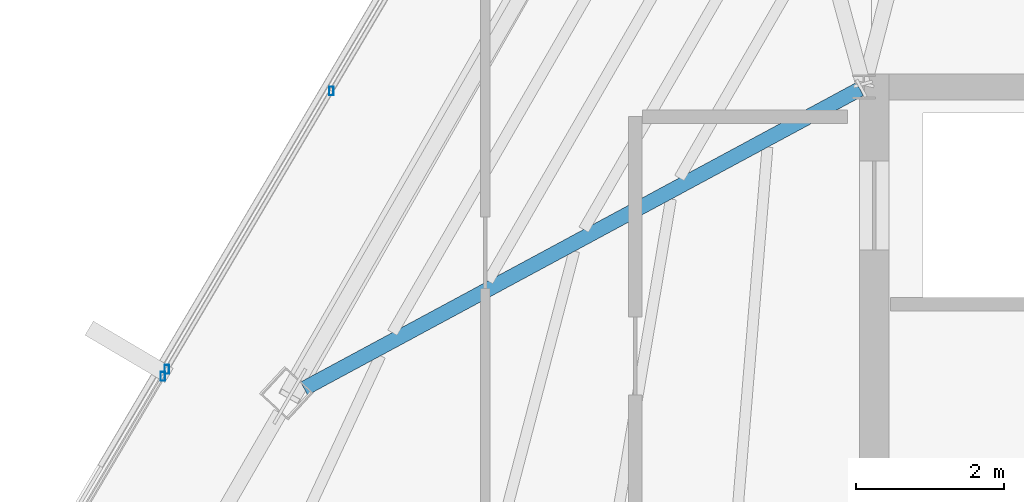
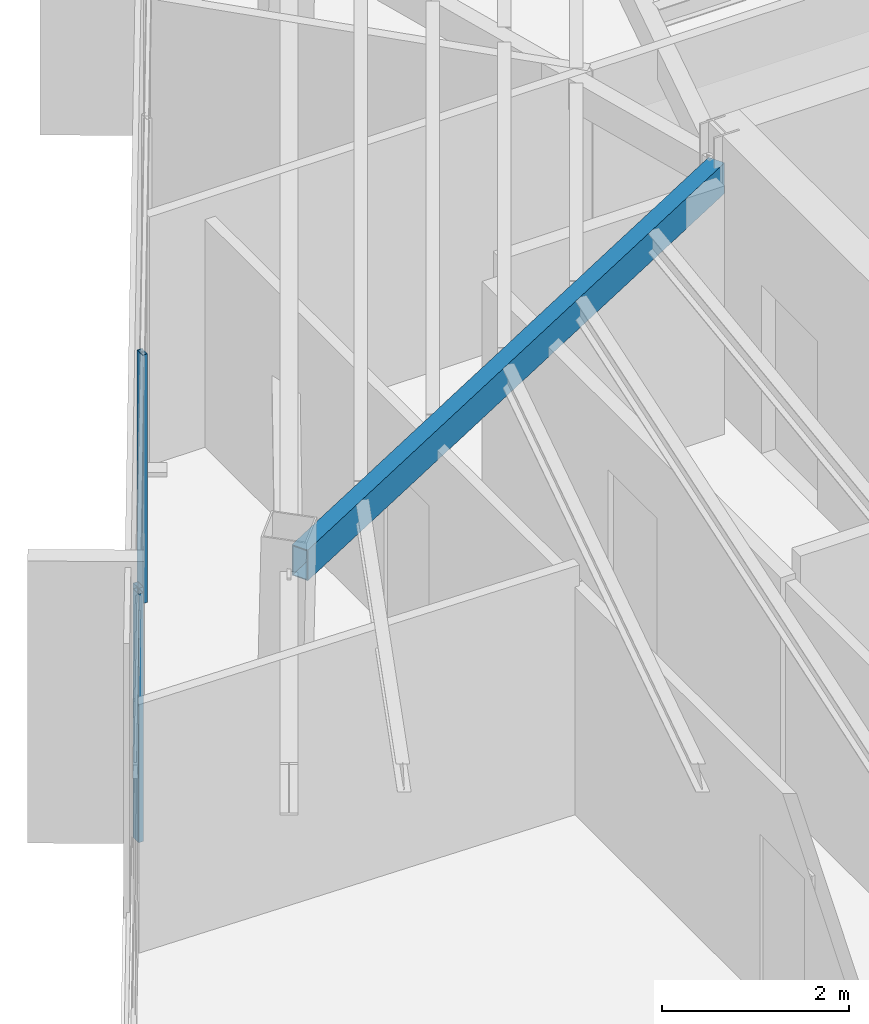
# One storey, part 17 of 44: 3 members, 1 beam, 2 elements without a shape of their own.
"""IFC4 building model written with IfcOpenShell, lengths in metres."""

from ifc_helpers import new_model, si_unit, direction, frame, origin, origin_2d, place, context, subcontext, project, spatial, hollow_rectangle, extrude, source, transform, mapped, material, material_profile, profile_set, type_object, type_shapes, element, aggregate, save


model = new_model("IFC4")

# Units and contexts
model_context = context("Model", 3, precision=1e-05, world=origin(), true_north=direction((0.0, 1.0)))
body_context = subcontext(model_context, "Body", "Model", "MODEL_VIEW")
ifc_project = project(units=[si_unit("LENGTHUNIT", "METRE"), si_unit("AREAUNIT", "SQUARE_METRE"), si_unit("VOLUMEUNIT", "CUBIC_METRE"), si_unit("PLANEANGLEUNIT", "RADIAN"), si_unit("MASSUNIT", "GRAM", prefix="KILO")], contexts=[model_context])

# Site, building, storey
site_placement = place(None, origin())
site = spatial("IfcSite", under=ifc_project, at=site_placement, CompositionType="ELEMENT")
building_placement = place(site_placement, origin())
building = spatial("IfcBuilding", under=site, at=building_placement, Name="Caelisora Broadcast Tower", CompositionType="ELEMENT")
storey_placement = place(building_placement, frame((0.0, 0.0, 280.949951171875)))
storey = spatial("IfcBuildingStorey", under=building, at=storey_placement, Name="L74", CompositionType="ELEMENT", Elevation=280.949951171875)

# Beam
ifc_material_1 = material(Name="Steel Grade 350 (AS/NZS 1163 C350L0)", Category="steel")
ifc_material_profile_1 = material_profile(ifc_material_1, hollow_rectangle(XDim=0.199951171875, YDim=0.39990234375, WallThickness=0.012451171875, at=origin_2d()), Name="Steel Grade 350 (AS/NZS 1163 C350L0)")
ifc_profile_set_1 = profile_set([ifc_material_profile_1], Name="Steel Grade 350 (AS/NZS 1163 C350L0)")
beam_type = type_object("IfcBeamType", Name="PG07", PredefinedType="BEAM", material=ifc_profile_set_1)
shared_shape_1 = source(origin(), body_context, "Body", "SweptSolid", [
    extrude(hollow_rectangle(XDim=0.199951171875, YDim=0.39990234375, WallThickness=0.012451171875, at=origin_2d()), origin(), (0.0, 0.0, 1.0), 8.50634765625),
])
type_shapes(beam_type, [shared_shape_1])
beam_placement = place(storey_placement, frame((30.447265625, 29.971435546875, 3.050048828125), z_axis=(-0.880311615753, -0.474395888653, 0.0), x_axis=(0.474395888653, -0.880311615753, 0.0)))
element("IfcBeam", 1, at=beam_placement, inside=storey, type_object=beam_type, Name="L74 beam PG07", PredefinedType="BEAM", context=body_context, shape_type="MappedRepresentation", body=[
    mapped(shared_shape_1, transform((0.0, 0.0, 0.0), scale=1.0)),
])

# Curtain wall, member
ifc_material_2 = material(Name="Unitised Aluminium and Low-E Glass Curtain Wall", Category="glass")
curtain_wall_type_1 = type_object("IfcCurtainWallType", Name="CW-Z5", PredefinedType="NOTDEFINED", material=ifc_material_2)
curtain_wall_1_placement = place(storey_placement, origin())
curtain_wall_1 = element("IfcCurtainWall", 2, at=curtain_wall_1_placement, inside=storey, type_object=curtain_wall_type_1, Name="L74 curtain wall CW-Z5", PredefinedType="NOTDEFINED")
ifc_material_3 = material(Name="Aluminium 6063-T6 Anodised Terracotta Bronze", Category="aluminium")
ifc_material_profile_2 = material_profile(ifc_material_3, hollow_rectangle(XDim=0.06005859375, YDim=0.1201171875, WallThickness=0.0029296875, at=origin_2d()), Name="Aluminium 6063-T6 Anodised Terracotta Bronze")
ifc_profile_set_2 = profile_set([ifc_material_profile_2], Name="Aluminium 6063-T6 Anodised Terracotta Bronze")
member_type = type_object("IfcMemberType", Name="CWM-04", PredefinedType="MULLION", material=ifc_profile_set_2)
shared_shape_2 = source(origin(), body_context, "Body", "SweptSolid", [
    extrude(hollow_rectangle(XDim=0.06005859375, YDim=0.1201171875, WallThickness=0.0029296875, at=origin_2d()), origin(), (0.0, 0.0, 1.0), 3.25),
])
type_shapes(member_type, [shared_shape_2])
member_1_placement = place(storey_placement, frame((21.054443359375, 26.099609375, 0.0), z_axis=(0.0, 0.0, 1.0), x_axis=(1.0, 0.0, 0.0)))
member_1 = element("IfcMember", 3, at=member_1_placement, type_object=member_type, Name="L74-CW-B09 mullion #3", PredefinedType="MULLION", context=body_context, shape_type="MappedRepresentation", body=[
    mapped(shared_shape_2, transform((0.0, 0.0, 0.0), scale=1.0)),
])
aggregate(curtain_wall_1, [member_1])

# Curtain wall, members
ifc_material_4 = material(Name="Unitised Aluminium Insulated Shadow-Box Spandrel Curtain Wall", Category="aluminium")
curtain_wall_type_2 = type_object("IfcCurtainWallType", Name="CW-SP3", PredefinedType="NOTDEFINED", material=ifc_material_4)
curtain_wall_2_placement = place(storey_placement, origin())
curtain_wall_2 = element("IfcCurtainWall", 4, at=curtain_wall_2_placement, inside=storey, type_object=curtain_wall_type_2, Name="L74 curtain wall CW-SP3", PredefinedType="NOTDEFINED")
member_2_placement = place(storey_placement, frame((21.1103515625, 26.1943359375, 0.0), z_axis=(0.0, 0.0, 1.0), x_axis=(1.0, 0.0, 0.0)))
member_2 = element("IfcMember", 5, at=member_2_placement, type_object=member_type, Name="L74-CW-B10 mullion #0", PredefinedType="MULLION", context=body_context, shape_type="MappedRepresentation", body=[
    mapped(shared_shape_2, transform((0.0, 0.0, 0.0), scale=1.0)),
])
member_3_placement = place(storey_placement, frame((23.326416015625, 29.945068359375, 0.0), z_axis=(0.0, 0.0, 1.0), x_axis=(1.0, 0.0, 0.0)))
member_3 = element("IfcMember", 6, at=member_3_placement, type_object=member_type, Name="L74-CW-B10 mullion #1", PredefinedType="MULLION", context=body_context, shape_type="MappedRepresentation", body=[
    mapped(shared_shape_2, transform((0.0, 0.0, 0.0), scale=1.0)),
])
aggregate(curtain_wall_2, [member_2, member_3])

save(model, "model.ifc")
